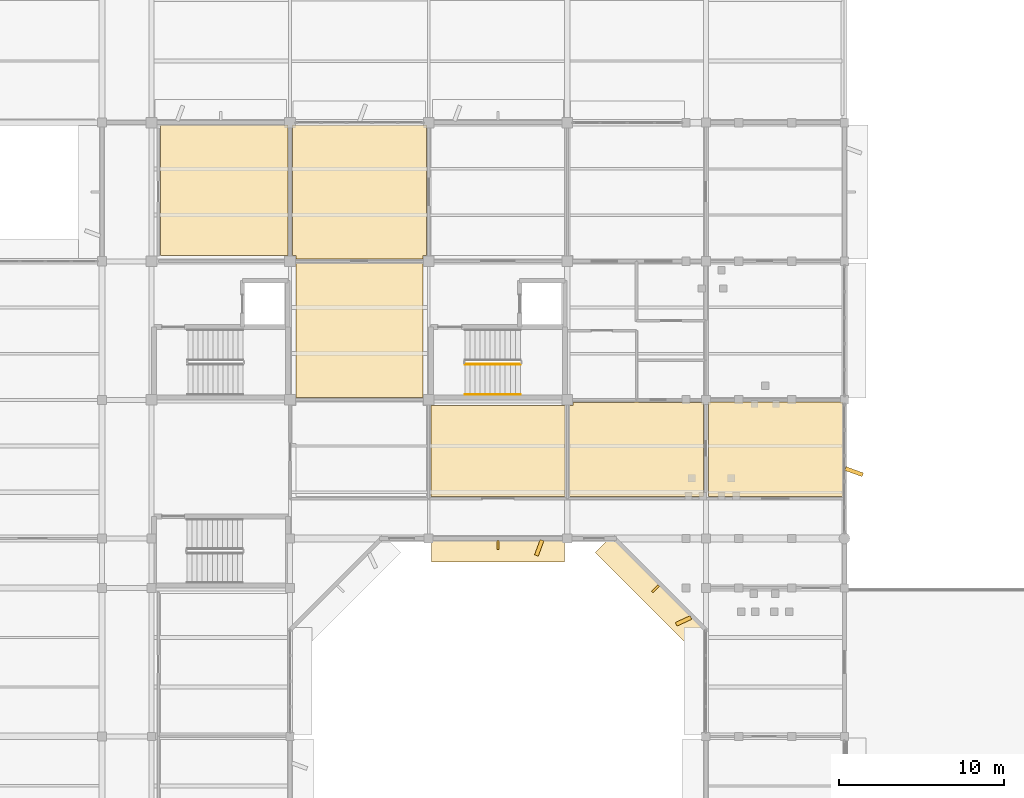
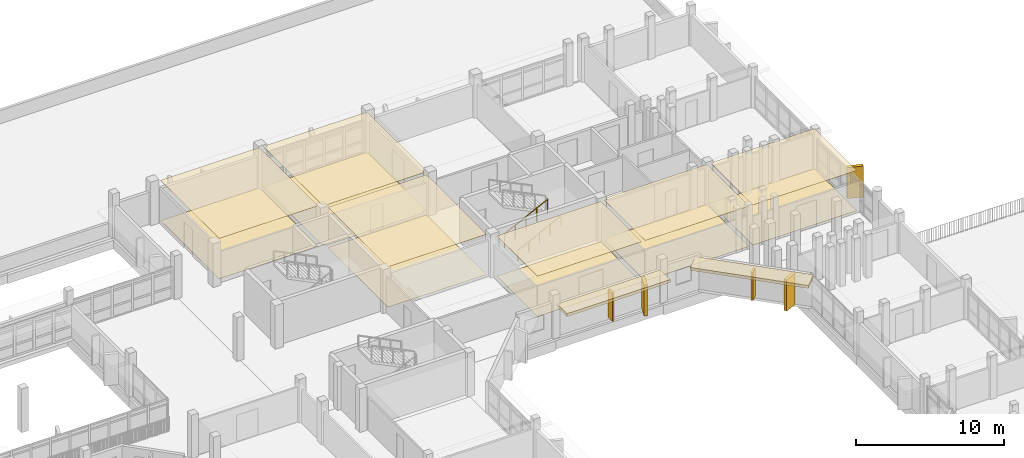
# One storey, part 88 of 92: 17 coverings, 2 railings, 2 shading devices.
"""IFC4 building model written with IfcOpenShell, lengths in metres."""

from ifc_helpers import new_model, si_unit, direction, frame, origin, origin_2d, place, context, subcontext, project, spatial, polyline, rectangle, circle, outline, extrude, material, layer, layer_set, type_object, element, save


model = new_model("IFC4")

# Units and contexts
model_context = context("Model", 3, precision=1e-05, world=origin(), true_north=direction((0.0, 1.0)))
body_context = subcontext(model_context, "Body", "Model", "MODEL_VIEW")
ifc_project = project(units=[si_unit("LENGTHUNIT", "METRE"), si_unit("AREAUNIT", "SQUARE_METRE"), si_unit("VOLUMEUNIT", "CUBIC_METRE"), si_unit("PLANEANGLEUNIT", "RADIAN"), si_unit("MASSUNIT", "GRAM", prefix="KILO")], contexts=[model_context])

# Site, building, storey
site_placement = place(None, origin())
site = spatial("IfcSite", under=ifc_project, at=site_placement, CompositionType="ELEMENT")
building_placement = place(site_placement, origin())
building = spatial("IfcBuilding", under=site, at=building_placement, Name="Vanh Quang Courtyard School", CompositionType="ELEMENT")
storey_placement = place(building_placement, frame((0.0, 0.0, 7.800048828125)))
storey = spatial("IfcBuildingStorey", under=building, at=storey_placement, Name="L02", CompositionType="ELEMENT", Elevation=7.800048828125)

# Coverings
ifc_material_1 = material(Name="Perforated mineral-fibre acoustic ceiling board")
ifc_layer_1 = layer(ifc_material_1, 0.02490234375)
ifc_layer_set_1 = layer_set([ifc_layer_1], Name="Perforated mineral-fibre acoustic ceiling board")
covering_type_1 = type_object("IfcCoveringType", Name="COV-CEIL-ACOUSTIC", PredefinedType="CEILING", material=ifc_layer_set_1)
covering_1_placement = place(storey_placement, frame((0.0, 0.0, 3.31494140625)))
element("IfcCovering", 1, at=covering_1_placement, inside=storey, type_object=covering_type_1, Name="Covering CV-CL1 (L02)", PredefinedType="CEILING", context=body_context, shape_type="SweptSolid", body=[
    extrude(outline(polyline([(77.949951171875, 96.4599609375), (77.949951171875, 96.4609375), (77.9501953125, 96.4619140625), (77.950439453125, 96.462890625), (77.95068359375, 96.4638671875), (77.951171875, 96.464599609375), (77.95166015625, 96.465576171875), (77.952392578125, 96.46630859375), (77.952880859375, 96.467041015625), (77.95361328125, 96.4677734375), (77.954345703125, 96.46826171875), (77.955322265625, 96.46875), (77.956298828125, 96.46923828125), (77.95703125, 96.469482421875), (77.9580078125, 96.4697265625), (77.958984375, 96.469970703125), (77.9599609375, 96.469970703125), (85.659912109375, 96.469970703125), (85.660888671875, 96.469970703125), (85.662109375, 96.4697265625), (85.662841796875, 96.469482421875), (85.663818359375, 96.46923828125), (85.664794921875, 96.46875), (85.66552734375, 96.46826171875), (85.666259765625, 96.4677734375), (85.6669921875, 96.467041015625), (85.667724609375, 96.46630859375), (85.668212890625, 96.465576171875), (85.668701171875, 96.464599609375), (85.669189453125, 96.4638671875), (85.669677734375, 96.462890625), (85.669921875, 96.4619140625), (85.669921875, 96.4609375), (85.669921875, 96.4599609375), (85.669921875, 88.550048828125), (77.949951171875, 88.550048828125), (77.949951171875, 96.4599609375)])), origin(), (0.0, 0.0, 1.0), 0.02490234375),
])
covering_2_placement = place(storey_placement, frame((0.0, 0.0, 3.31494140625)))
element("IfcCovering", 2, at=covering_2_placement, inside=storey, type_object=covering_type_1, Name="Covering CV-CL1 (L02)", PredefinedType="CEILING", context=body_context, shape_type="SweptSolid", body=[
    extrude(outline(polyline([(86.14990234375, 79.949951171875), (86.14990234375, 88.070068359375), (93.85009765625, 88.070068359375), (93.85009765625, 79.949951171875), (86.14990234375, 79.949951171875)])), origin(), (0.0, 0.0, 1.0), 0.02490234375),
])
covering_3_placement = place(storey_placement, frame((0.0, 0.0, 3.31494140625)))
element("IfcCovering", 3, at=covering_3_placement, inside=storey, type_object=covering_type_1, Name="Covering CV-CL1 (L02)", PredefinedType="CEILING", context=body_context, shape_type="SweptSolid", body=[
    extrude(outline(polyline([(86.14990234375, 88.35009765625), (86.14990234375, 88.550048828125), (85.949951171875, 88.550048828125), (85.949951171875, 96.4599609375), (85.949951171875, 96.4609375), (85.9501953125, 96.4619140625), (85.950439453125, 96.462890625), (85.95068359375, 96.4638671875), (85.951171875, 96.464599609375), (85.95166015625, 96.465576171875), (85.952392578125, 96.46630859375), (85.952880859375, 96.467041015625), (85.95361328125, 96.4677734375), (85.954345703125, 96.46826171875), (85.955322265625, 96.46875), (85.956298828125, 96.46923828125), (85.95703125, 96.469482421875), (85.9580078125, 96.4697265625), (85.958984375, 96.469970703125), (85.9599609375, 96.469970703125), (94.06005859375, 96.469970703125), (94.06103515625, 96.469970703125), (94.06201171875, 96.4697265625), (94.06298828125, 96.469482421875), (94.063720703125, 96.46923828125), (94.064697265625, 96.46875), (94.065673828125, 96.46826171875), (94.06640625, 96.4677734375), (94.067138671875, 96.467041015625), (94.067626953125, 96.46630859375), (94.068359375, 96.465576171875), (94.06884765625, 96.464599609375), (94.069091796875, 96.4638671875), (94.069580078125, 96.462890625), (94.06982421875, 96.4619140625), (94.070068359375, 96.4609375), (94.070068359375, 96.4599609375), (94.070068359375, 88.550048828125), (93.85009765625, 88.550048828125), (93.85009765625, 88.35009765625), (86.14990234375, 88.35009765625)])), origin(), (0.0, 0.0, 1.0), 0.02490234375),
])
covering_4_placement = place(storey_placement, frame((0.0, 0.0, 3.31494140625)))
element("IfcCovering", 4, at=covering_4_placement, inside=storey, type_object=covering_type_1, Name="Covering CV-CL1 (L02)", PredefinedType="CEILING", context=body_context, shape_type="SweptSolid", body=[
    extrude(outline(polyline([(94.360107421875, 73.949951171875), (94.35888671875, 73.949951171875), (94.35791015625, 73.9501953125), (94.357177734375, 73.950439453125), (94.356201171875, 73.95068359375), (94.355224609375, 73.951171875), (94.3544921875, 73.95166015625), (94.353759765625, 73.952392578125), (94.352783203125, 73.952880859375), (94.352294921875, 73.95361328125), (94.351806640625, 73.954345703125), (94.351318359375, 73.955322265625), (94.350830078125, 73.956298828125), (94.350341796875, 73.95703125), (94.35009765625, 73.9580078125), (94.35009765625, 73.958984375), (94.35009765625, 73.9599609375), (94.35009765625, 79.449951171875), (102.469970703125, 79.449951171875), (102.469970703125, 73.9599609375), (102.469970703125, 73.958984375), (102.4697265625, 73.9580078125), (102.469482421875, 73.95703125), (102.46923828125, 73.956298828125), (102.46875, 73.955322265625), (102.46826171875, 73.954345703125), (102.4677734375, 73.95361328125), (102.467041015625, 73.952880859375), (102.46630859375, 73.952392578125), (102.465576171875, 73.95166015625), (102.464599609375, 73.951171875), (102.4638671875, 73.95068359375), (102.462890625, 73.950439453125), (102.4619140625, 73.9501953125), (102.4609375, 73.949951171875), (102.4599609375, 73.949951171875), (94.360107421875, 73.949951171875)])), origin(), (0.0, 0.0, 1.0), 0.02490234375),
])
covering_5_placement = place(storey_placement, frame((0.0, 0.0, 3.31494140625)))
element("IfcCovering", 5, at=covering_5_placement, inside=storey, type_object=covering_type_1, Name="Covering CV-CL1 (L02)", PredefinedType="CEILING", context=body_context, shape_type="SweptSolid", body=[
    extrude(outline(polyline([(102.75, 79.449951171875), (102.949951171875, 79.449951171875), (102.949951171875, 79.64990234375), (106.6591796875, 79.64990234375), (106.765625, 79.669921875), (106.7666015625, 79.669921875), (106.767333984375, 79.669921875), (106.8525390625, 79.669921875), (106.853515625, 79.669921875), (106.8544921875, 79.669921875), (106.9609375, 79.64990234375), (110.860107421875, 79.64990234375), (110.861083984375, 79.64990234375), (110.862060546875, 79.64990234375), (110.86279296875, 79.649658203125), (110.86376953125, 79.649169921875), (110.86474609375, 79.648681640625), (110.865478515625, 79.648193359375), (110.8662109375, 79.647705078125), (110.8671875, 79.647216796875), (110.86767578125, 79.646240234375), (110.868408203125, 79.6455078125), (110.868896484375, 79.644775390625), (110.869140625, 79.643798828125), (110.86962890625, 79.642822265625), (110.869873046875, 79.64208984375), (110.8701171875, 79.64111328125), (110.8701171875, 79.639892578125), (110.8701171875, 73.9599609375), (110.8701171875, 73.958984375), (110.869873046875, 73.9580078125), (110.86962890625, 73.95703125), (110.869140625, 73.956298828125), (110.868896484375, 73.955322265625), (110.868408203125, 73.954345703125), (110.86767578125, 73.95361328125), (110.8671875, 73.952880859375), (110.8662109375, 73.952392578125), (110.865478515625, 73.95166015625), (110.86474609375, 73.951171875), (110.86376953125, 73.95068359375), (110.86279296875, 73.950439453125), (110.862060546875, 73.9501953125), (110.861083984375, 73.949951171875), (110.860107421875, 73.949951171875), (102.760009765625, 73.949951171875), (102.759033203125, 73.949951171875), (102.758056640625, 73.9501953125), (102.757080078125, 73.950439453125), (102.756103515625, 73.95068359375), (102.75537109375, 73.951171875), (102.75439453125, 73.95166015625), (102.753662109375, 73.952392578125), (102.7529296875, 73.952880859375), (102.752197265625, 73.95361328125), (102.751708984375, 73.954345703125), (102.751220703125, 73.955322265625), (102.750732421875, 73.956298828125), (102.75048828125, 73.95703125), (102.750244140625, 73.9580078125), (102.75, 73.958984375), (102.75, 73.9599609375), (102.75, 79.449951171875)])), origin(), (0.0, 0.0, 1.0), 0.02490234375),
])
covering_6_placement = place(storey_placement, frame((0.0, 0.0, 3.31494140625)))
element("IfcCovering", 6, at=covering_6_placement, inside=storey, type_object=covering_type_1, Name="Covering CV-CL1 (L02)", PredefinedType="CEILING", context=body_context, shape_type="SweptSolid", body=[
    extrude(outline(polyline([(111.149169921875, 79.659912109375), (111.149169921875, 79.660888671875), (111.1494140625, 79.661865234375), (111.149658203125, 79.662841796875), (111.14990234375, 79.663818359375), (111.150390625, 79.664794921875), (111.15087890625, 79.66552734375), (111.151611328125, 79.666259765625), (111.152099609375, 79.6669921875), (111.15283203125, 79.667724609375), (111.153564453125, 79.668212890625), (111.154541015625, 79.668701171875), (111.155517578125, 79.669189453125), (111.15625, 79.669677734375), (111.1572265625, 79.669921875), (111.158203125, 79.669921875), (111.1591796875, 79.669921875), (119.260009765625, 79.669921875), (119.260986328125, 79.669921875), (119.261962890625, 79.669921875), (119.262939453125, 79.669677734375), (119.263916015625, 79.669189453125), (119.2646484375, 79.668701171875), (119.265625, 79.668212890625), (119.266357421875, 79.667724609375), (119.26708984375, 79.6669921875), (119.267578125, 79.666259765625), (119.268310546875, 79.66552734375), (119.268798828125, 79.664794921875), (119.269287109375, 79.663818359375), (119.26953125, 79.662841796875), (119.269775390625, 79.662109375), (119.27001953125, 79.660888671875), (119.27001953125, 79.659912109375), (119.27001953125, 73.9599609375), (119.27001953125, 73.958984375), (119.269775390625, 73.9580078125), (119.26953125, 73.95703125), (119.269287109375, 73.956298828125), (119.268798828125, 73.955322265625), (119.268310546875, 73.954345703125), (119.267578125, 73.95361328125), (119.26708984375, 73.952880859375), (119.266357421875, 73.952392578125), (119.265625, 73.95166015625), (119.2646484375, 73.951171875), (119.263916015625, 73.95068359375), (119.262939453125, 73.950439453125), (119.261962890625, 73.9501953125), (119.260986328125, 73.949951171875), (119.260009765625, 73.949951171875), (111.159912109375, 73.949951171875), (111.158935546875, 73.949951171875), (111.157958984375, 73.9501953125), (111.156982421875, 73.950439453125), (111.15625, 73.95068359375), (111.1552734375, 73.951171875), (111.154296875, 73.95166015625), (111.15380859375, 73.952392578125), (111.15283203125, 73.952880859375), (111.15234375, 73.95361328125), (111.151611328125, 73.954345703125), (111.151123046875, 73.955322265625), (111.15087890625, 73.956298828125), (111.150390625, 73.95703125), (111.150146484375, 73.9580078125), (111.14990234375, 73.958984375), (111.14990234375, 73.9599609375), (111.149169921875, 79.659912109375)])), origin(), (0.0, 0.0, 1.0), 0.02490234375),
])
ifc_material_2 = material(Name="Polished cementitious terrazzo tile", Category="concrete")
ifc_layer_2 = layer(ifc_material_2, 0.02001953125)
ifc_layer_set_2 = layer_set([ifc_layer_2], Name="Polished cementitious terrazzo tile")
covering_type_2 = type_object("IfcCoveringType", Name="COV-FLR-TERRAZZO", PredefinedType="FLOORING", material=ifc_layer_set_2)
covering_7_placement = place(storey_placement, origin())
element("IfcCovering", 7, at=covering_7_placement, inside=storey, type_object=covering_type_2, Name="Covering CV-FL1 (L02)", PredefinedType="FLOORING", context=body_context, shape_type="SweptSolid", body=[
    extrude(outline(polyline([(77.949951171875, 96.4599609375), (77.949951171875, 96.4609375), (77.9501953125, 96.4619140625), (77.950439453125, 96.462890625), (77.95068359375, 96.4638671875), (77.951171875, 96.464599609375), (77.95166015625, 96.465576171875), (77.952392578125, 96.46630859375), (77.952880859375, 96.467041015625), (77.95361328125, 96.4677734375), (77.954345703125, 96.46826171875), (77.955322265625, 96.46875), (77.956298828125, 96.46923828125), (77.95703125, 96.469482421875), (77.9580078125, 96.4697265625), (77.958984375, 96.469970703125), (77.9599609375, 96.469970703125), (85.659912109375, 96.469970703125), (85.660888671875, 96.469970703125), (85.662109375, 96.4697265625), (85.662841796875, 96.469482421875), (85.663818359375, 96.46923828125), (85.664794921875, 96.46875), (85.66552734375, 96.46826171875), (85.666259765625, 96.4677734375), (85.6669921875, 96.467041015625), (85.667724609375, 96.46630859375), (85.668212890625, 96.465576171875), (85.668701171875, 96.464599609375), (85.669189453125, 96.4638671875), (85.669677734375, 96.462890625), (85.669921875, 96.4619140625), (85.669921875, 96.4609375), (85.669921875, 96.4599609375), (85.669921875, 88.550048828125), (77.949951171875, 88.550048828125), (77.949951171875, 96.4599609375)])), origin(), (0.0, 0.0, 1.0), 0.02001953125),
])
covering_8_placement = place(storey_placement, origin())
element("IfcCovering", 8, at=covering_8_placement, inside=storey, type_object=covering_type_2, Name="Covering CV-FL1 (L02)", PredefinedType="FLOORING", context=body_context, shape_type="SweptSolid", body=[
    extrude(outline(polyline([(86.14990234375, 79.949951171875), (86.14990234375, 88.070068359375), (93.85009765625, 88.070068359375), (93.85009765625, 79.949951171875), (86.14990234375, 79.949951171875)])), origin(), (0.0, 0.0, 1.0), 0.02001953125),
])
covering_9_placement = place(storey_placement, origin())
element("IfcCovering", 9, at=covering_9_placement, inside=storey, type_object=covering_type_2, Name="Covering CV-FL1 (L02)", PredefinedType="FLOORING", context=body_context, shape_type="SweptSolid", body=[
    extrude(outline(polyline([(86.14990234375, 88.35009765625), (86.14990234375, 88.550048828125), (85.949951171875, 88.550048828125), (85.949951171875, 96.4599609375), (85.949951171875, 96.4609375), (85.9501953125, 96.4619140625), (85.950439453125, 96.462890625), (85.95068359375, 96.4638671875), (85.951171875, 96.464599609375), (85.95166015625, 96.465576171875), (85.952392578125, 96.46630859375), (85.952880859375, 96.467041015625), (85.95361328125, 96.4677734375), (85.954345703125, 96.46826171875), (85.955322265625, 96.46875), (85.956298828125, 96.46923828125), (85.95703125, 96.469482421875), (85.9580078125, 96.4697265625), (85.958984375, 96.469970703125), (85.9599609375, 96.469970703125), (94.06005859375, 96.469970703125), (94.06103515625, 96.469970703125), (94.06201171875, 96.4697265625), (94.06298828125, 96.469482421875), (94.063720703125, 96.46923828125), (94.064697265625, 96.46875), (94.065673828125, 96.46826171875), (94.06640625, 96.4677734375), (94.067138671875, 96.467041015625), (94.067626953125, 96.46630859375), (94.068359375, 96.465576171875), (94.06884765625, 96.464599609375), (94.069091796875, 96.4638671875), (94.069580078125, 96.462890625), (94.06982421875, 96.4619140625), (94.070068359375, 96.4609375), (94.070068359375, 96.4599609375), (94.070068359375, 88.550048828125), (93.85009765625, 88.550048828125), (93.85009765625, 88.35009765625), (86.14990234375, 88.35009765625)])), origin(), (0.0, 0.0, 1.0), 0.02001953125),
])
covering_10_placement = place(storey_placement, origin())
element("IfcCovering", 10, at=covering_10_placement, inside=storey, type_object=covering_type_2, Name="Covering CV-FL1 (L02)", PredefinedType="FLOORING", context=body_context, shape_type="SweptSolid", body=[
    extrude(outline(polyline([(94.360107421875, 73.949951171875), (94.35888671875, 73.949951171875), (94.35791015625, 73.9501953125), (94.357177734375, 73.950439453125), (94.356201171875, 73.95068359375), (94.355224609375, 73.951171875), (94.3544921875, 73.95166015625), (94.353759765625, 73.952392578125), (94.352783203125, 73.952880859375), (94.352294921875, 73.95361328125), (94.351806640625, 73.954345703125), (94.351318359375, 73.955322265625), (94.350830078125, 73.956298828125), (94.350341796875, 73.95703125), (94.35009765625, 73.9580078125), (94.35009765625, 73.958984375), (94.35009765625, 73.9599609375), (94.35009765625, 79.449951171875), (102.469970703125, 79.449951171875), (102.469970703125, 73.9599609375), (102.469970703125, 73.958984375), (102.4697265625, 73.9580078125), (102.469482421875, 73.95703125), (102.46923828125, 73.956298828125), (102.46875, 73.955322265625), (102.46826171875, 73.954345703125), (102.4677734375, 73.95361328125), (102.467041015625, 73.952880859375), (102.46630859375, 73.952392578125), (102.465576171875, 73.95166015625), (102.464599609375, 73.951171875), (102.4638671875, 73.95068359375), (102.462890625, 73.950439453125), (102.4619140625, 73.9501953125), (102.4609375, 73.949951171875), (102.4599609375, 73.949951171875), (94.360107421875, 73.949951171875)])), origin(), (0.0, 0.0, 1.0), 0.02001953125),
])
covering_11_placement = place(storey_placement, origin())
element("IfcCovering", 11, at=covering_11_placement, inside=storey, type_object=covering_type_2, Name="Covering CV-FL1 (L02)", PredefinedType="FLOORING", context=body_context, shape_type="SweptSolid", body=[
    extrude(outline(polyline([(102.75, 79.449951171875), (102.949951171875, 79.449951171875), (102.949951171875, 79.64990234375), (106.6591796875, 79.64990234375), (106.765625, 79.669921875), (106.7666015625, 79.669921875), (106.767333984375, 79.669921875), (106.8525390625, 79.669921875), (106.853515625, 79.669921875), (106.8544921875, 79.669921875), (106.9609375, 79.64990234375), (110.860107421875, 79.64990234375), (110.861083984375, 79.64990234375), (110.862060546875, 79.64990234375), (110.86279296875, 79.649658203125), (110.86376953125, 79.649169921875), (110.86474609375, 79.648681640625), (110.865478515625, 79.648193359375), (110.8662109375, 79.647705078125), (110.8671875, 79.647216796875), (110.86767578125, 79.646240234375), (110.868408203125, 79.6455078125), (110.868896484375, 79.644775390625), (110.869140625, 79.643798828125), (110.86962890625, 79.642822265625), (110.869873046875, 79.64208984375), (110.8701171875, 79.64111328125), (110.8701171875, 79.639892578125), (110.8701171875, 73.9599609375), (110.8701171875, 73.958984375), (110.869873046875, 73.9580078125), (110.86962890625, 73.95703125), (110.869140625, 73.956298828125), (110.868896484375, 73.955322265625), (110.868408203125, 73.954345703125), (110.86767578125, 73.95361328125), (110.8671875, 73.952880859375), (110.8662109375, 73.952392578125), (110.865478515625, 73.95166015625), (110.86474609375, 73.951171875), (110.86376953125, 73.95068359375), (110.86279296875, 73.950439453125), (110.862060546875, 73.9501953125), (110.861083984375, 73.949951171875), (110.860107421875, 73.949951171875), (102.760009765625, 73.949951171875), (102.759033203125, 73.949951171875), (102.758056640625, 73.9501953125), (102.757080078125, 73.950439453125), (102.756103515625, 73.95068359375), (102.75537109375, 73.951171875), (102.75439453125, 73.95166015625), (102.753662109375, 73.952392578125), (102.7529296875, 73.952880859375), (102.752197265625, 73.95361328125), (102.751708984375, 73.954345703125), (102.751220703125, 73.955322265625), (102.750732421875, 73.956298828125), (102.75048828125, 73.95703125), (102.750244140625, 73.9580078125), (102.75, 73.958984375), (102.75, 73.9599609375), (102.75, 79.449951171875)])), origin(), (0.0, 0.0, 1.0), 0.02001953125),
])
covering_12_placement = place(storey_placement, origin())
element("IfcCovering", 12, at=covering_12_placement, inside=storey, type_object=covering_type_2, Name="Covering CV-FL1 (L02)", PredefinedType="FLOORING", context=body_context, shape_type="SweptSolid", body=[
    extrude(outline(polyline([(111.149169921875, 79.659912109375), (111.149169921875, 79.660888671875), (111.1494140625, 79.661865234375), (111.149658203125, 79.662841796875), (111.14990234375, 79.663818359375), (111.150390625, 79.664794921875), (111.15087890625, 79.66552734375), (111.151611328125, 79.666259765625), (111.152099609375, 79.6669921875), (111.15283203125, 79.667724609375), (111.153564453125, 79.668212890625), (111.154541015625, 79.668701171875), (111.155517578125, 79.669189453125), (111.15625, 79.669677734375), (111.1572265625, 79.669921875), (111.158203125, 79.669921875), (111.1591796875, 79.669921875), (119.260009765625, 79.669921875), (119.260986328125, 79.669921875), (119.261962890625, 79.669921875), (119.262939453125, 79.669677734375), (119.263916015625, 79.669189453125), (119.2646484375, 79.668701171875), (119.265625, 79.668212890625), (119.266357421875, 79.667724609375), (119.26708984375, 79.6669921875), (119.267578125, 79.666259765625), (119.268310546875, 79.66552734375), (119.268798828125, 79.664794921875), (119.269287109375, 79.663818359375), (119.26953125, 79.662841796875), (119.269775390625, 79.662109375), (119.27001953125, 79.660888671875), (119.27001953125, 79.659912109375), (119.27001953125, 73.9599609375), (119.27001953125, 73.958984375), (119.269775390625, 73.9580078125), (119.26953125, 73.95703125), (119.269287109375, 73.956298828125), (119.268798828125, 73.955322265625), (119.268310546875, 73.954345703125), (119.267578125, 73.95361328125), (119.26708984375, 73.952880859375), (119.266357421875, 73.952392578125), (119.265625, 73.95166015625), (119.2646484375, 73.951171875), (119.263916015625, 73.95068359375), (119.262939453125, 73.950439453125), (119.261962890625, 73.9501953125), (119.260986328125, 73.949951171875), (119.260009765625, 73.949951171875), (111.159912109375, 73.949951171875), (111.158935546875, 73.949951171875), (111.157958984375, 73.9501953125), (111.156982421875, 73.950439453125), (111.15625, 73.95068359375), (111.1552734375, 73.951171875), (111.154296875, 73.95166015625), (111.15380859375, 73.952392578125), (111.15283203125, 73.952880859375), (111.15234375, 73.95361328125), (111.151611328125, 73.954345703125), (111.151123046875, 73.955322265625), (111.15087890625, 73.956298828125), (111.150390625, 73.95703125), (111.150146484375, 73.9580078125), (111.14990234375, 73.958984375), (111.14990234375, 73.9599609375), (111.149169921875, 79.659912109375)])), origin(), (0.0, 0.0, 1.0), 0.02001953125),
])
ifc_material_3 = material(Name="Board-marked precast concrete C40/50", Category="concrete")
ifc_layer_3 = layer(ifc_material_3, 0.239990234375)
ifc_layer_set_3 = layer_set([ifc_layer_3], Name="Board-marked precast concrete C40/50")
covering_type_3 = type_object("IfcCoveringType", Name="COV-HOOD-CONC", PredefinedType="CLADDING", material=ifc_layer_set_3)
covering_13_placement = place(storey_placement, frame((119.985107421875, 75.447509765625, 0.0), z_axis=(0.0, 0.0, 1.0), x_axis=(0.94028812701, -0.340379550213, 0.0)))
element("IfcCovering", 13, at=covering_13_placement, inside=storey, type_object=covering_type_3, Name="Covering CH-01 (L02)", PredefinedType="CLADDING", context=body_context, shape_type="SweptSolid", body=[
    extrude(rectangle(XDim=1.11669921875, YDim=0.239990234375, at=origin_2d()), origin(), (0.0, 0.0, 1.0), 2.56005859375),
])
covering_14_placement = place(storey_placement, frame((107.70458984375, 68.104736328125, 2.39990234375), z_axis=(0.0, 0.0, 1.0), x_axis=(-0.707106781187, 0.707106781187, 0.0)))
element("IfcCovering", 14, at=covering_14_placement, inside=storey, type_object=covering_type_3, Name="Covering CH-01 (L02)", PredefinedType="CLADDING", context=body_context, shape_type="SweptSolid", body=[
    extrude(rectangle(XDim=8.280517578125, YDim=1.35009765625, at=origin_2d()), origin(), (0.0, 0.0, 1.0), 0.239990234375),
])
covering_15_placement = place(storey_placement, frame((109.6474609375, 66.402587890625, 0.0), z_axis=(0.0, 0.0, 1.0), x_axis=(-0.908362259055, -0.418184177516, 0.0)))
element("IfcCovering", 15, at=covering_15_placement, inside=storey, type_object=covering_type_3, Name="Covering CH-01 (L02)", PredefinedType="CLADDING", context=body_context, shape_type="SweptSolid", body=[
    extrude(rectangle(XDim=0.980712890625, YDim=0.239990234375, at=origin_2d()), origin(), (0.0, 0.0, 1.0), 2.56005859375),
])
covering_16_placement = place(storey_placement, frame((98.39990234375, 70.659912109375, 2.39990234375), z_axis=(0.0, 0.0, 1.0), x_axis=(-1.0, 0.0, 0.0)))
element("IfcCovering", 16, at=covering_16_placement, inside=storey, type_object=covering_type_3, Name="Covering CH-01 (L02)", PredefinedType="CLADDING", context=body_context, shape_type="SweptSolid", body=[
    extrude(rectangle(XDim=8.053955078125, YDim=1.35009765625, at=origin_2d()), origin(), (0.0, 0.0, 1.0), 0.239990234375),
])
covering_17_placement = place(storey_placement, frame((100.900390625, 70.830078125, 0.0), z_axis=(0.0, 0.0, 1.0), x_axis=(-0.346608245445, -0.938009980858, 0.0)))
element("IfcCovering", 17, at=covering_17_placement, inside=storey, type_object=covering_type_3, Name="Covering CH-01 (L02)", PredefinedType="CLADDING", context=body_context, shape_type="SweptSolid", body=[
    extrude(rectangle(XDim=0.980712890625, YDim=0.239990234375, at=origin_2d()), origin(), (0.0, 0.0, 1.0), 2.56005859375),
])

# Railings
ifc_material_4 = material(Name="Galvanised painted steel EN 10025-2 S355J2", Category="steel")
railing_type_1 = type_object("IfcRailingType", Name="RAIL-GUARD-1150", PredefinedType="BALUSTRADE", material=ifc_material_4)
railing_1_placement = place(storey_placement, frame((96.39990234375, 81.949951171875, 0.14990234375)))
element("IfcRailing", 18, at=railing_1_placement, inside=storey, type_object=railing_type_1, Name="L02 ST-02 stair guard 1", PredefinedType="BALUSTRADE", context=body_context, shape_type="SweptSolid", body=[
    extrude(circle(Radius=0.02392578125, at=origin_2d()), frame((0.0, 0.0, 1.1259765625), z_axis=(0.89733343241, 0.0, 0.441353272424), x_axis=(0.0, 1.0, 0.0)), (0.0, 0.0, 1.0), 3.73876953125),
    extrude(circle(Radius=0.02099609375, at=origin_2d()), origin(), (0.0, 0.0, 1.0), 1.101806640625),
    extrude(circle(Radius=0.02099609375, at=origin_2d()), frame((0.8388671875, 0.0, 0.41259765625)), (0.0, 0.0, 1.0), 1.101806640625),
    extrude(circle(Radius=0.02099609375, at=origin_2d()), frame((1.677490234375, 0.0, 0.8251953125)), (0.0, 0.0, 1.0), 1.101806640625),
    extrude(circle(Radius=0.02099609375, at=origin_2d()), frame((2.51611328125, 0.0, 1.237548828125)), (0.0, 0.0, 1.0), 1.101806640625),
    extrude(circle(Radius=0.02099609375, at=origin_2d()), frame((3.35498046875, 0.0, 1.650146484375)), (0.0, 0.0, 1.0), 1.101806640625),
])
ifc_material_5 = material(Name="Brushed stainless steel", Category="steel")
railing_type_2 = type_object("IfcRailingType", Name="RAIL-HAND-900", PredefinedType="HANDRAIL", material=ifc_material_5)
railing_2_placement = place(storey_placement, frame((96.39990234375, 80.1298828125, 0.14990234375)))
element("IfcRailing", 19, at=railing_2_placement, inside=storey, type_object=railing_type_2, Name="L02 ST-02 stair handrail 1", PredefinedType="HANDRAIL", context=body_context, shape_type="SweptSolid", body=[
    extrude(circle(Radius=0.02392578125, at=origin_2d()), frame((0.0, 0.0, 0.8759765625), z_axis=(0.89733343241, 0.0, 0.441353272424), x_axis=(0.0, 1.0, 0.0)), (0.0, 0.0, 1.0), 3.73876953125),
    extrude(circle(Radius=0.02099609375, at=origin_2d()), origin(), (0.0, 0.0, 1.0), 0.851806640625),
    extrude(circle(Radius=0.02099609375, at=origin_2d()), frame((0.8388671875, 0.0, 0.41259765625)), (0.0, 0.0, 1.0), 0.851806640625),
    extrude(circle(Radius=0.02099609375, at=origin_2d()), frame((1.677490234375, 0.0, 0.8251953125)), (0.0, 0.0, 1.0), 0.851806640625),
    extrude(circle(Radius=0.02099609375, at=origin_2d()), frame((2.51611328125, 0.0, 1.237548828125)), (0.0, 0.0, 1.0), 0.851806640625),
    extrude(circle(Radius=0.02099609375, at=origin_2d()), frame((3.35498046875, 0.0, 1.650146484375)), (0.0, 0.0, 1.0), 0.851806640625),
])

# Shading devices
shading_device_type = type_object("IfcShadingDeviceType", Name="SHD-FIN-CONCRETE", PredefinedType="USERDEFINED", material=ifc_material_3)
for number, where, z_axis, x_axis, name in (
    (20, (107.94873046875, 68.3486328125, 0.14990234375), (0.0, 0.0, 1.0), (-0.707106781187, 0.707106781187, 0.0), "Solar Shading SH-02 (L02)"),
    (21, (98.39990234375, 71.0048828125, 0.14990234375), (0.0, 0.0, 1.0), (-1.0, 0.0, 0.0), "Solar Shading SH-02 (L02)"),
):
    element("IfcShadingDevice", number, at=place(storey_placement, frame(where, z_axis=z_axis, x_axis=x_axis)), inside=storey, type_object=shading_device_type, Name=name, ObjectType="Solar Shading SH-02 (L02)", PredefinedType="USERDEFINED", context=body_context, shape_type="SweptSolid", body=[
        extrude(rectangle(XDim=0.139892578125, YDim=0.550048828125, at=origin_2d()), origin(), (0.0, 0.0, 1.0), 2.340087890625),
    ])

save(model, "model.ifc")
